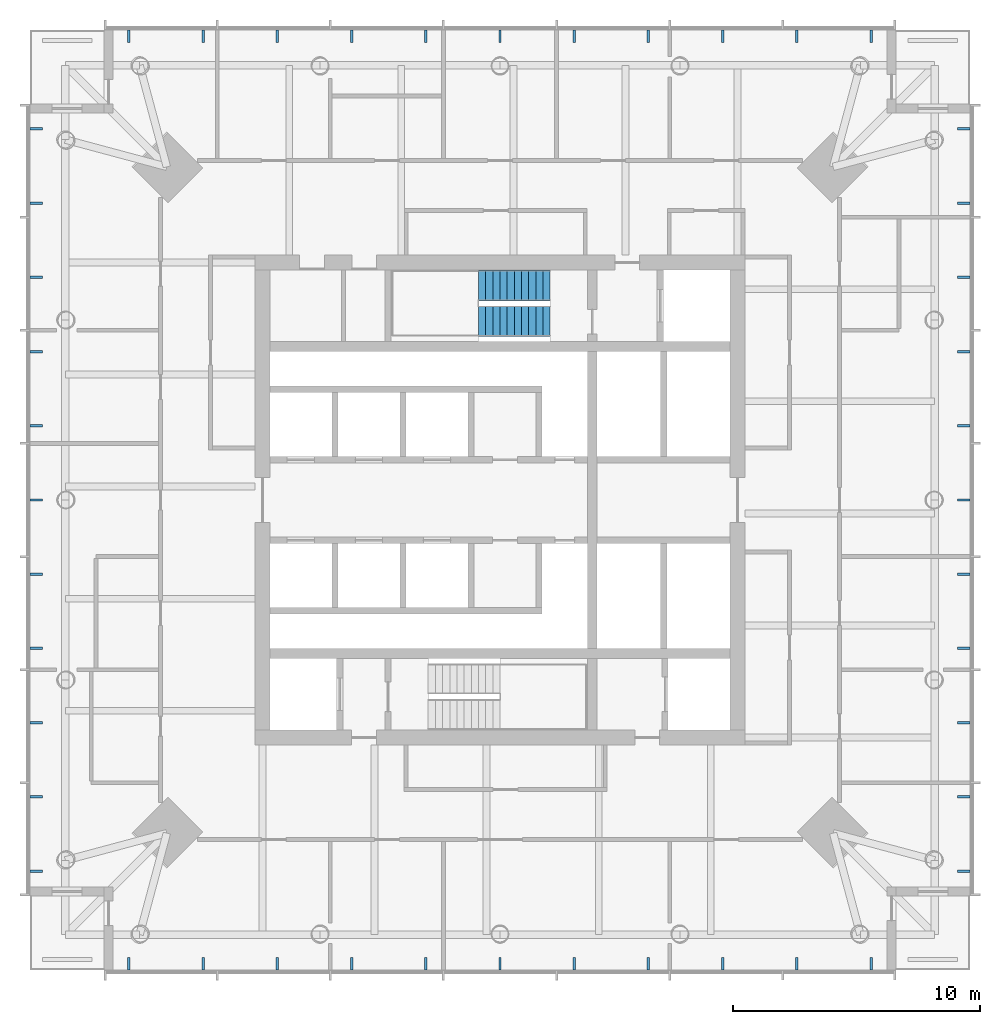
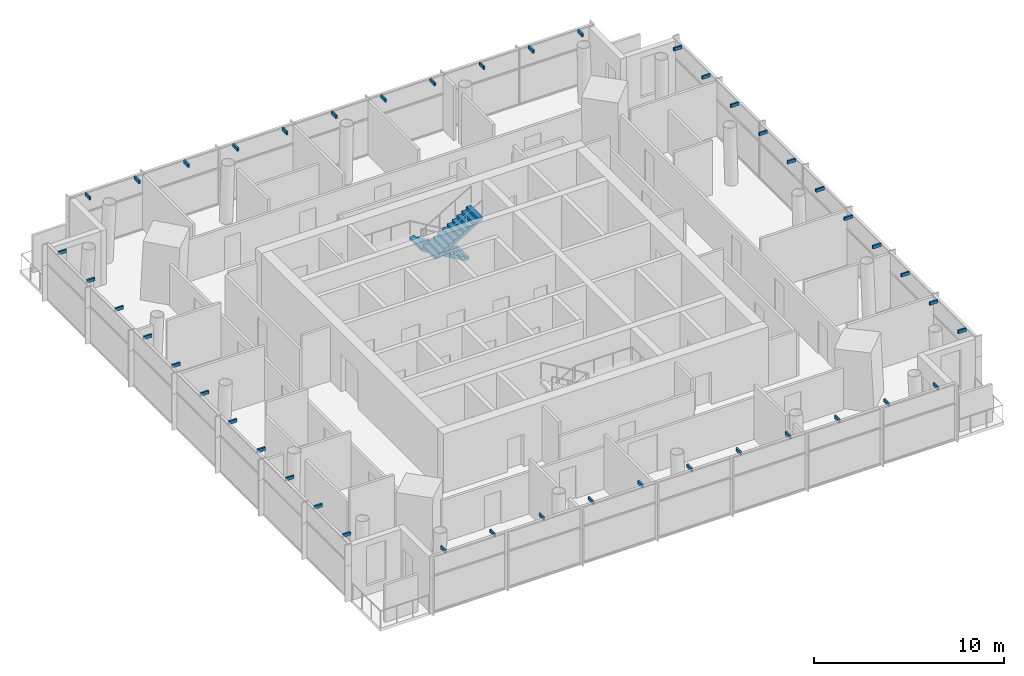
# One storey, part 9 of 10: 44 discrete accessories, 2 stair flights, 1 element without a shape of its own.
"""IFC4 building model written with IfcOpenShell, lengths in metres."""

from ifc_helpers import new_model, si_unit, direction, frame, origin, origin_2d, place, context, subcontext, project, spatial, polyline, rectangle, outline, extrude, material, type_object, element, aggregate, save


model = new_model("IFC4")

# Units and contexts
model_context = context("Model", 3, precision=1e-05, world=origin(), true_north=direction((0.0, 1.0)))
body_context = subcontext(model_context, "Body", "Model", "MODEL_VIEW")
ifc_project = project(units=[si_unit("LENGTHUNIT", "METRE"), si_unit("AREAUNIT", "SQUARE_METRE"), si_unit("VOLUMEUNIT", "CUBIC_METRE"), si_unit("PLANEANGLEUNIT", "RADIAN"), si_unit("MASSUNIT", "GRAM", prefix="KILO")], contexts=[model_context])

# Site, building, storey
site_placement = place(None, origin())
site = spatial("IfcSite", under=ifc_project, at=site_placement, CompositionType="ELEMENT")
building_placement = place(site_placement, origin())
building = spatial("IfcBuilding", under=site, at=building_placement, Name="Ostroluk Exchange", CompositionType="ELEMENT")
storey_placement = place(building_placement, frame((0.0, 0.0, 222.39990234375)))
storey = spatial("IfcBuildingStorey", under=building, at=storey_placement, Name="L57", CompositionType="ELEMENT", Elevation=222.39990234375)

# Stair, stair flights
ifc_material_1 = material(Name="Concrete C30/37", Category="concrete")
stair_type = type_object("IfcStairType", Name="Exit stair half turn 3800", PredefinedType="HALF_TURN_STAIR", material=ifc_material_1)
stair_placement = place(storey_placement, origin())
stair = element("IfcStair", 1, at=stair_placement, inside=storey, type_object=stair_type, Name="Stair T1-S2 L57", PredefinedType="HALF_TURN_STAIR")
ifc_material_2 = material(Name="Concrete C30/37", Category="concrete")
stair_flight_type = type_object("IfcStairFlightType", Name="Stair flight 11 risers 172.7 x 290", PredefinedType="STRAIGHT", material=ifc_material_2)
stair_flight_1_placement = place(storey_placement, frame((47.030029296875, 54.675048828125, 0.0), z_axis=(0.0, 0.0, 1.0), x_axis=(-1.0, 0.0, 0.0)))
stair_flight_1 = element("IfcStairFlight", 2, at=stair_flight_1_placement, type_object=stair_flight_type, Name="T1-S2 flight 1", NumberOfRisers=11, NumberOfTreads=10, PredefinedType="STRAIGHT", RiserHeight=0.172727273, TreadLength=0.29, context=body_context, shape_type="SweptSolid", body=[
    extrude(outline(polyline([(0.0, 0.0), (0.0, 0.172607421875), (0.2900390625, 0.172607421875), (0.2900390625, 0.345458984375), (0.580078125, 0.345458984375), (0.580078125, 0.51806640625), (0.8701171875, 0.51806640625), (0.8701171875, 0.69091796875), (1.159912109375, 0.69091796875), (1.159912109375, 0.863525390625), (1.449951171875, 0.863525390625), (1.449951171875, 1.036376953125), (1.739990234375, 1.036376953125), (1.739990234375, 1.208984375), (2.030029296875, 1.208984375), (2.030029296875, 1.3818359375), (2.320068359375, 1.3818359375), (2.320068359375, 1.554443359375), (2.610107421875, 1.554443359375), (2.610107421875, 1.727294921875), (2.89990234375, 1.727294921875), (2.89990234375, 1.89990234375), (2.89990234375, 1.552734375), (0.29296875, 0.0), (0.0, 0.0)])), frame((0.0, 0.625, 0.0), z_axis=(0.0, -1.0, 0.0), x_axis=(1.0, 0.0, 0.0)), (0.0, 0.0, 1.0), 1.25),
])
stair_flight_2_placement = place(storey_placement, frame((44.1298828125, 53.22509765625, 1.900146484375), z_axis=(0.0, 0.0, 1.0), x_axis=(1.0, 0.0, 0.0)))
stair_flight_2 = element("IfcStairFlight", 3, at=stair_flight_2_placement, type_object=stair_flight_type, Name="T1-S2 flight 2", NumberOfRisers=11, NumberOfTreads=10, PredefinedType="STRAIGHT", RiserHeight=0.172727273, TreadLength=0.29, context=body_context, shape_type="SweptSolid", body=[
    extrude(outline(polyline([(0.0, 0.0), (0.0, 0.172607421875), (0.2900390625, 0.172607421875), (0.2900390625, 0.345458984375), (0.580078125, 0.345458984375), (0.580078125, 0.51806640625), (0.8701171875, 0.51806640625), (0.8701171875, 0.69091796875), (1.159912109375, 0.69091796875), (1.159912109375, 0.863525390625), (1.449951171875, 0.863525390625), (1.449951171875, 1.036376953125), (1.739990234375, 1.036376953125), (1.739990234375, 1.208984375), (2.030029296875, 1.208984375), (2.030029296875, 1.3818359375), (2.320068359375, 1.3818359375), (2.320068359375, 1.554443359375), (2.610107421875, 1.554443359375), (2.610107421875, 1.727294921875), (2.89990234375, 1.727294921875), (2.89990234375, 1.89990234375), (2.89990234375, 1.552734375), (0.29296875, 0.0), (0.0, 0.0)])), frame((0.0, 0.625, 0.0), z_axis=(0.0, -1.0, 0.0), x_axis=(1.0, 0.0, 0.0)), (0.0, 0.0, 1.0), 1.25),
])
aggregate(stair, [stair_flight_1, stair_flight_2])

# Discrete accessories
ifc_material_3 = material(Name="Steel S355", Category="steel")
discrete_accessory_type = type_object("IfcDiscreteAccessoryType", Name="Maintenance roof bracket", PredefinedType="BRACKET", material=ifc_material_3)
for number, where, z_axis, x_axis, name in (
    (4, (30.0, 27.25, 3.4501953125), (0.0, 0.0, 1.0), (1.0, 0.0, 0.0), "Maintenance roof bracket L58 south 1"),
    (5, (33.0, 27.25, 3.4501953125), (0.0, 0.0, 1.0), (1.0, 0.0, 0.0), "Maintenance roof bracket L58 south 2"),
    (6, (36.0, 27.25, 3.4501953125), (0.0, 0.0, 1.0), (1.0, 0.0, 0.0), "Maintenance roof bracket L58 south 3"),
    (7, (39.0, 27.25, 3.4501953125), (0.0, 0.0, 1.0), (1.0, 0.0, 0.0), "Maintenance roof bracket L58 south 4"),
    (8, (42.0, 27.25, 3.4501953125), (0.0, 0.0, 1.0), (1.0, 0.0, 0.0), "Maintenance roof bracket L58 south 5"),
    (9, (45.0, 27.25, 3.4501953125), (0.0, 0.0, 1.0), (1.0, 0.0, 0.0), "Maintenance roof bracket L58 south 6"),
    (10, (48.0, 27.25, 3.4501953125), (0.0, 0.0, 1.0), (1.0, 0.0, 0.0), "Maintenance roof bracket L58 south 7"),
    (11, (51.0, 27.25, 3.4501953125), (0.0, 0.0, 1.0), (1.0, 0.0, 0.0), "Maintenance roof bracket L58 south 8"),
    (12, (54.0, 27.25, 3.4501953125), (0.0, 0.0, 1.0), (1.0, 0.0, 0.0), "Maintenance roof bracket L58 south 9"),
    (13, (57.0, 27.25, 3.4501953125), (0.0, 0.0, 1.0), (1.0, 0.0, 0.0), "Maintenance roof bracket L58 south 10"),
    (14, (60.0, 27.25, 3.4501953125), (0.0, 0.0, 1.0), (1.0, 0.0, 0.0), "Maintenance roof bracket L58 south 11"),
):
    element("IfcDiscreteAccessory", number, at=place(storey_placement, frame(where, z_axis=z_axis, x_axis=x_axis)), inside=storey, type_object=discrete_accessory_type, Name=name, PredefinedType="BRACKET", context=body_context, shape_type="SweptSolid", body=[
        extrude(rectangle(XDim=0.10009765625, YDim=0.5, at=origin_2d()), origin(), (0.0, 0.0, 1.0), 0.199951171875),
    ])
for number, where, z_axis, x_axis, name in (
    (15, (63.75, 31.0, 3.4501953125), (0.0, 0.0, 1.0), (1.0, 0.0, 0.0), "Maintenance roof bracket L58 east 1"),
    (16, (63.75, 34.0, 3.4501953125), (0.0, 0.0, 1.0), (1.0, 0.0, 0.0), "Maintenance roof bracket L58 east 2"),
    (17, (63.75, 37.0, 3.4501953125), (0.0, 0.0, 1.0), (1.0, 0.0, 0.0), "Maintenance roof bracket L58 east 3"),
    (18, (63.75, 40.0, 3.4501953125), (0.0, 0.0, 1.0), (1.0, 0.0, 0.0), "Maintenance roof bracket L58 east 4"),
    (19, (63.75, 43.0, 3.4501953125), (0.0, 0.0, 1.0), (1.0, 0.0, 0.0), "Maintenance roof bracket L58 east 5"),
    (20, (63.75, 46.0, 3.4501953125), (0.0, 0.0, 1.0), (1.0, 0.0, 0.0), "Maintenance roof bracket L58 east 6"),
    (21, (63.75, 49.0, 3.4501953125), (0.0, 0.0, 1.0), (1.0, 0.0, 0.0), "Maintenance roof bracket L58 east 7"),
    (22, (63.75, 52.0, 3.4501953125), (0.0, 0.0, 1.0), (1.0, 0.0, 0.0), "Maintenance roof bracket L58 east 8"),
    (23, (63.75, 55.0, 3.4501953125), (0.0, 0.0, 1.0), (1.0, 0.0, 0.0), "Maintenance roof bracket L58 east 9"),
    (24, (63.75, 58.0, 3.4501953125), (0.0, 0.0, 1.0), (1.0, 0.0, 0.0), "Maintenance roof bracket L58 east 10"),
    (25, (63.75, 61.0, 3.4501953125), (0.0, 0.0, 1.0), (1.0, 0.0, 0.0), "Maintenance roof bracket L58 east 11"),
):
    element("IfcDiscreteAccessory", number, at=place(storey_placement, frame(where, z_axis=z_axis, x_axis=x_axis)), inside=storey, type_object=discrete_accessory_type, Name=name, PredefinedType="BRACKET", context=body_context, shape_type="SweptSolid", body=[
        extrude(rectangle(XDim=0.5, YDim=0.10009765625, at=origin_2d()), origin(), (0.0, 0.0, 1.0), 0.199951171875),
    ])
for number, where, z_axis, x_axis, name in (
    (26, (30.0, 64.75, 3.4501953125), (0.0, 0.0, 1.0), (1.0, 0.0, 0.0), "Maintenance roof bracket L58 north 1"),
    (27, (33.0, 64.75, 3.4501953125), (0.0, 0.0, 1.0), (1.0, 0.0, 0.0), "Maintenance roof bracket L58 north 2"),
    (28, (36.0, 64.75, 3.4501953125), (0.0, 0.0, 1.0), (1.0, 0.0, 0.0), "Maintenance roof bracket L58 north 3"),
    (29, (39.0, 64.75, 3.4501953125), (0.0, 0.0, 1.0), (1.0, 0.0, 0.0), "Maintenance roof bracket L58 north 4"),
    (30, (42.0, 64.75, 3.4501953125), (0.0, 0.0, 1.0), (1.0, 0.0, 0.0), "Maintenance roof bracket L58 north 5"),
    (31, (45.0, 64.75, 3.4501953125), (0.0, 0.0, 1.0), (1.0, 0.0, 0.0), "Maintenance roof bracket L58 north 6"),
    (32, (48.0, 64.75, 3.4501953125), (0.0, 0.0, 1.0), (1.0, 0.0, 0.0), "Maintenance roof bracket L58 north 7"),
    (33, (51.0, 64.75, 3.4501953125), (0.0, 0.0, 1.0), (1.0, 0.0, 0.0), "Maintenance roof bracket L58 north 8"),
    (34, (54.0, 64.75, 3.4501953125), (0.0, 0.0, 1.0), (1.0, 0.0, 0.0), "Maintenance roof bracket L58 north 9"),
    (35, (57.0, 64.75, 3.4501953125), (0.0, 0.0, 1.0), (1.0, 0.0, 0.0), "Maintenance roof bracket L58 north 10"),
    (36, (60.0, 64.75, 3.4501953125), (0.0, 0.0, 1.0), (1.0, 0.0, 0.0), "Maintenance roof bracket L58 north 11"),
):
    element("IfcDiscreteAccessory", number, at=place(storey_placement, frame(where, z_axis=z_axis, x_axis=x_axis)), inside=storey, type_object=discrete_accessory_type, Name=name, PredefinedType="BRACKET", context=body_context, shape_type="SweptSolid", body=[
        extrude(rectangle(XDim=0.10009765625, YDim=0.5, at=origin_2d()), origin(), (0.0, 0.0, 1.0), 0.199951171875),
    ])
for number, where, z_axis, x_axis, name in (
    (37, (26.25, 31.0, 3.4501953125), (0.0, 0.0, 1.0), (1.0, 0.0, 0.0), "Maintenance roof bracket L58 west 1"),
    (38, (26.25, 34.0, 3.4501953125), (0.0, 0.0, 1.0), (1.0, 0.0, 0.0), "Maintenance roof bracket L58 west 2"),
    (39, (26.25, 37.0, 3.4501953125), (0.0, 0.0, 1.0), (1.0, 0.0, 0.0), "Maintenance roof bracket L58 west 3"),
    (40, (26.25, 40.0, 3.4501953125), (0.0, 0.0, 1.0), (1.0, 0.0, 0.0), "Maintenance roof bracket L58 west 4"),
    (41, (26.25, 43.0, 3.4501953125), (0.0, 0.0, 1.0), (1.0, 0.0, 0.0), "Maintenance roof bracket L58 west 5"),
    (42, (26.25, 46.0, 3.4501953125), (0.0, 0.0, 1.0), (1.0, 0.0, 0.0), "Maintenance roof bracket L58 west 6"),
    (43, (26.25, 49.0, 3.4501953125), (0.0, 0.0, 1.0), (1.0, 0.0, 0.0), "Maintenance roof bracket L58 west 7"),
    (44, (26.25, 52.0, 3.4501953125), (0.0, 0.0, 1.0), (1.0, 0.0, 0.0), "Maintenance roof bracket L58 west 8"),
    (45, (26.25, 55.0, 3.4501953125), (0.0, 0.0, 1.0), (1.0, 0.0, 0.0), "Maintenance roof bracket L58 west 9"),
    (46, (26.25, 58.0, 3.4501953125), (0.0, 0.0, 1.0), (1.0, 0.0, 0.0), "Maintenance roof bracket L58 west 10"),
    (47, (26.25, 61.0, 3.4501953125), (0.0, 0.0, 1.0), (1.0, 0.0, 0.0), "Maintenance roof bracket L58 west 11"),
):
    element("IfcDiscreteAccessory", number, at=place(storey_placement, frame(where, z_axis=z_axis, x_axis=x_axis)), inside=storey, type_object=discrete_accessory_type, Name=name, PredefinedType="BRACKET", context=body_context, shape_type="SweptSolid", body=[
        extrude(rectangle(XDim=0.5, YDim=0.10009765625, at=origin_2d()), origin(), (0.0, 0.0, 1.0), 0.199951171875),
    ])

save(model, "model.ifc")
